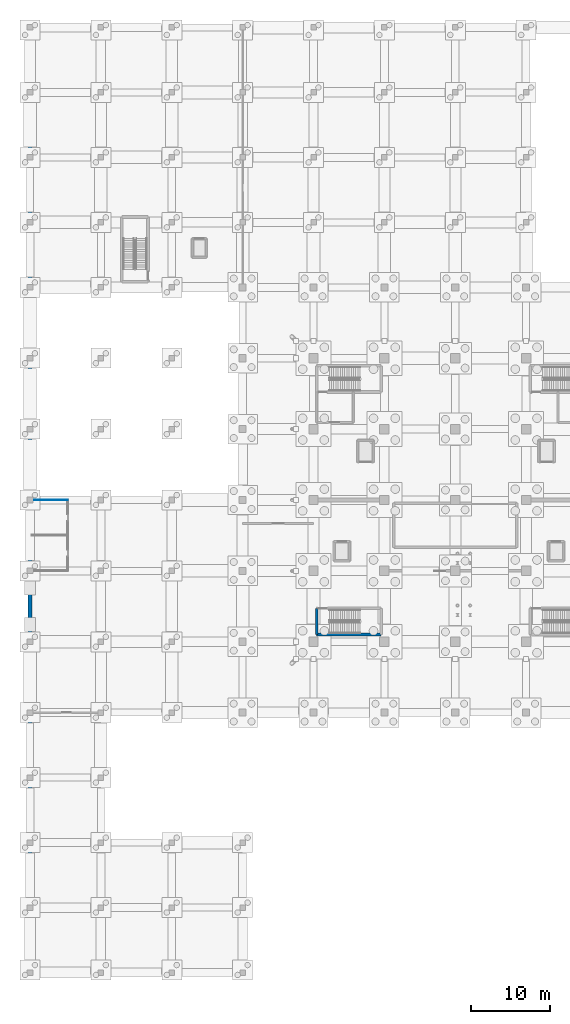
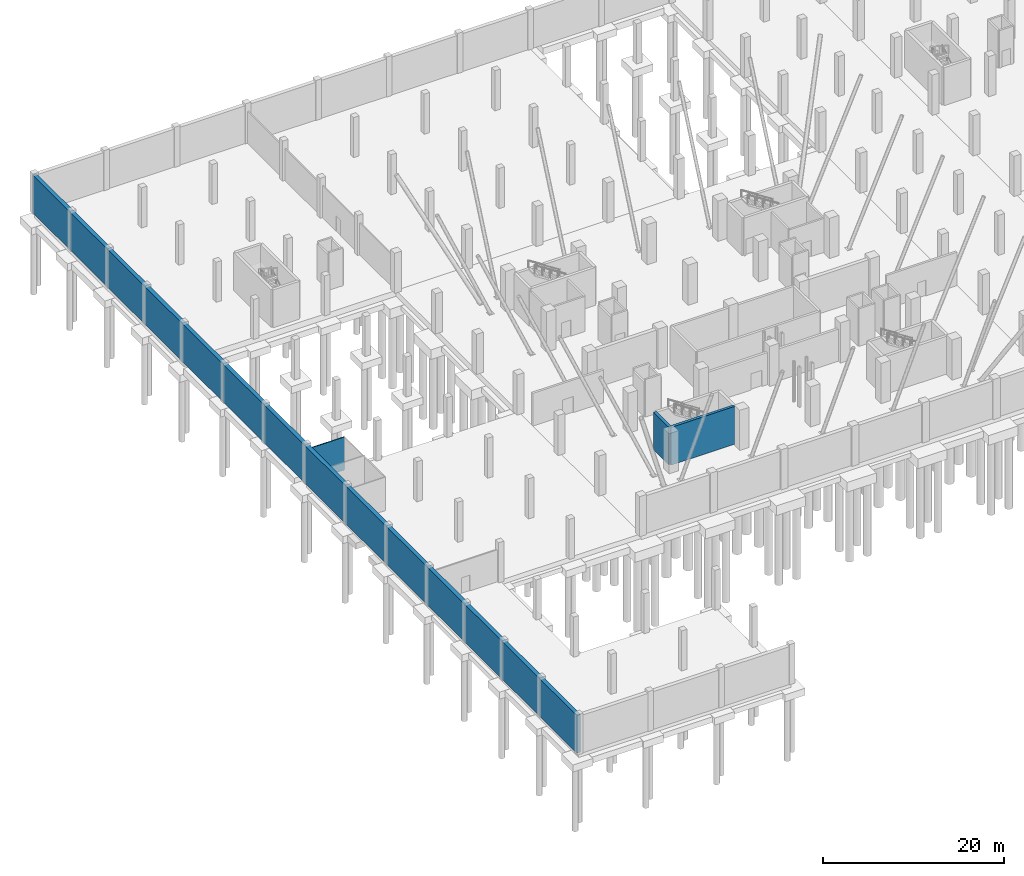
# One storey, part 24 of 42: 4 walls.
"""IFC4 building model written with IfcOpenShell, lengths in metres."""

from ifc_helpers import new_model, si_unit, direction, frame, frame_2d, origin, place, context, subcontext, project, spatial, rectangle, extrude, material, layer, layer_set, type_object, element, save


model = new_model("IFC4")

# Units and contexts
model_context = context("Model", 3, precision=1e-05, world=origin(), true_north=direction((0.0, 1.0)))
body_context = subcontext(model_context, "Body", "Model", "MODEL_VIEW")
ifc_project = project(units=[si_unit("LENGTHUNIT", "METRE"), si_unit("AREAUNIT", "SQUARE_METRE"), si_unit("VOLUMEUNIT", "CUBIC_METRE"), si_unit("PLANEANGLEUNIT", "RADIAN"), si_unit("MASSUNIT", "GRAM", prefix="KILO")], contexts=[model_context])

# Site, building, storey
site_placement = place(None, origin())
site = spatial("IfcSite", under=ifc_project, at=site_placement, CompositionType="ELEMENT")
building_placement = place(site_placement, origin())
building = spatial("IfcBuilding", under=site, at=building_placement, Name="Sundgate Opera House", CompositionType="ELEMENT")
storey_placement = place(building_placement, frame((0.0, 0.0, -5.39990234375)))
storey = spatial("IfcBuildingStorey", under=building, at=storey_placement, Name="B01", CompositionType="ELEMENT", Elevation=-5.39990234375)

# Walls
ifc_material_1 = material(Name="Concrete C40/50", Category="concrete")
ifc_layer_1 = layer(ifc_material_1, 0.35009765625)
ifc_layer_set_1 = layer_set([ifc_layer_1], Name="Concrete C40/50")
wall_type_1 = type_object("IfcWallType", Name="WL-CORE-350", PredefinedType="SHEAR", material=ifc_layer_set_1)
wall_1_placement = place(storey_placement, frame((36.409912109375, 42.909912109375, 0.0), z_axis=(0.0, 0.0, 1.0), x_axis=(1.0, 0.0, 0.0)))
element("IfcWall", 1, at=wall_1_placement, inside=storey, type_object=wall_type_1, Name="B01 C1 South Shaft Wall", PredefinedType="SHEAR", context=body_context, shape_type="SweptSolid", body=[
    extrude(rectangle(XDim=8.18017578125, YDim=0.35009765625, at=frame_2d((4.090087890625, 0.0))), origin(), (0.0, 0.0, 1.0), 5.079833984375),
])
wall_2_placement = place(storey_placement, frame((36.409912109375, 42.909912109375, 0.0), z_axis=(0.0, 0.0, 1.0), x_axis=(0.0, 1.0, 0.0)))
element("IfcWall", 2, at=wall_2_placement, inside=storey, type_object=wall_type_1, Name="B01 C1 West Shaft Wall", PredefinedType="SHEAR", context=body_context, shape_type="SweptSolid", body=[
    extrude(rectangle(XDim=3.330078125, YDim=0.35009765625, at=frame_2d((1.6650390625, 0.0))), origin(), (0.0, 0.0, 1.0), 5.079833984375),
])
ifc_material_2 = material(Name="Moisture-resistant sanitary partition", Category="gypsum")
ifc_layer_2 = layer(ifc_material_2, 0.114990234375)
ifc_layer_set_2 = layer_set([ifc_layer_2], Name="Moisture-resistant sanitary partition")
wall_type_2 = type_object("IfcWallType", Name="WL-INT-WET-115", PredefinedType="PARTITIONING", material=ifc_layer_set_2)
wall_3_placement = place(storey_placement, frame((0.25, 60.0, 0.0), z_axis=(0.0, 0.0, 1.0), x_axis=(1.0, 0.0, 0.0)))
element("IfcWall", 3, at=wall_3_placement, inside=storey, type_object=wall_type_2, Name="B01 Interior Partition W0984", PredefinedType="PARTITIONING", context=body_context, shape_type="SweptSolid", body=[
    extrude(rectangle(XDim=4.550048828125, YDim=0.114990234375, at=frame_2d((2.27490234375, 0.0))), origin(), (0.0, 0.0, 1.0), 4.454833984375),
])
ifc_material_3 = material(Name="Concrete C35/45", Category="concrete")
ifc_layer_3 = layer(ifc_material_3, 0.5)
ifc_layer_set_3 = layer_set([ifc_layer_3], Name="Concrete C35/45")
wall_type_3 = type_object("IfcWallType", Name="WL-RET-500", PredefinedType="USERDEFINED", material=ifc_layer_set_3)
wall_4_placement = place(storey_placement, frame((0.0, 0.0, 0.0), z_axis=(0.0, 0.0, 1.0), x_axis=(0.0, 1.0, 0.0)))
element("IfcWall", 4, at=wall_4_placement, inside=storey, type_object=wall_type_3, Name="B01 Perimeter Retaining Wall W0002", ObjectType="RETAINING WALL", PredefinedType="USERDEFINED", context=body_context, shape_type="SweptSolid", body=[
    extrude(rectangle(XDim=120.0, YDim=0.5, at=frame_2d((60.0, 0.0))), origin(), (0.0, 0.0, 1.0), 5.079833984375),
])

save(model, "model.ifc")
